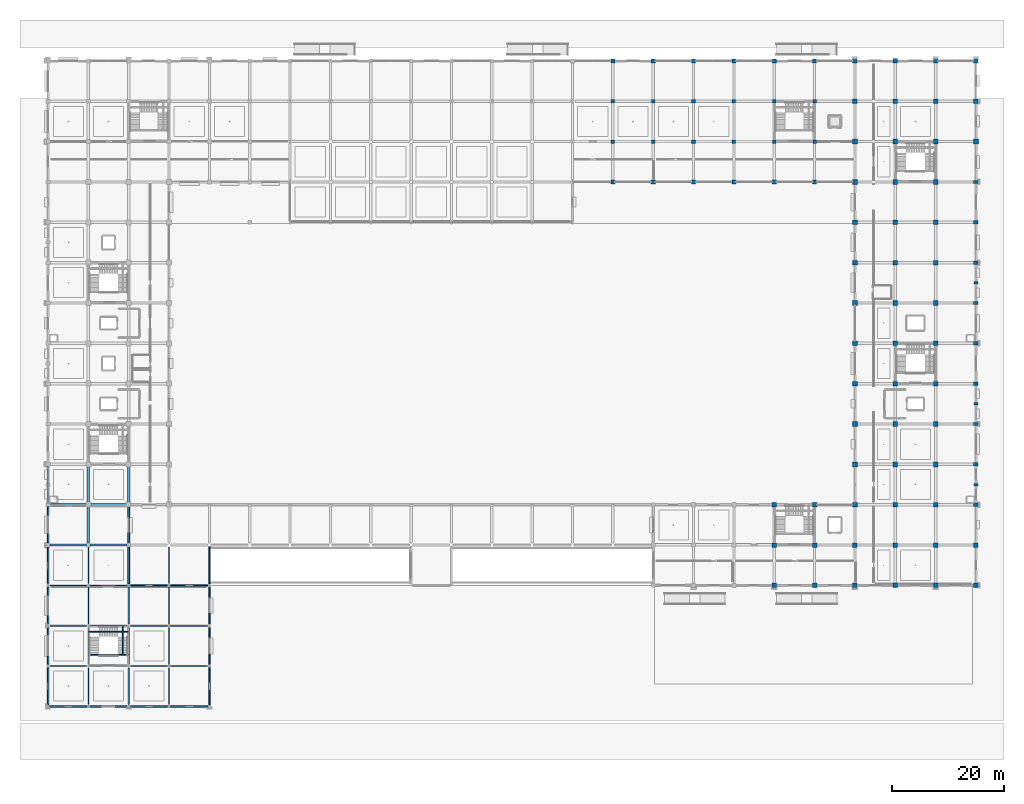
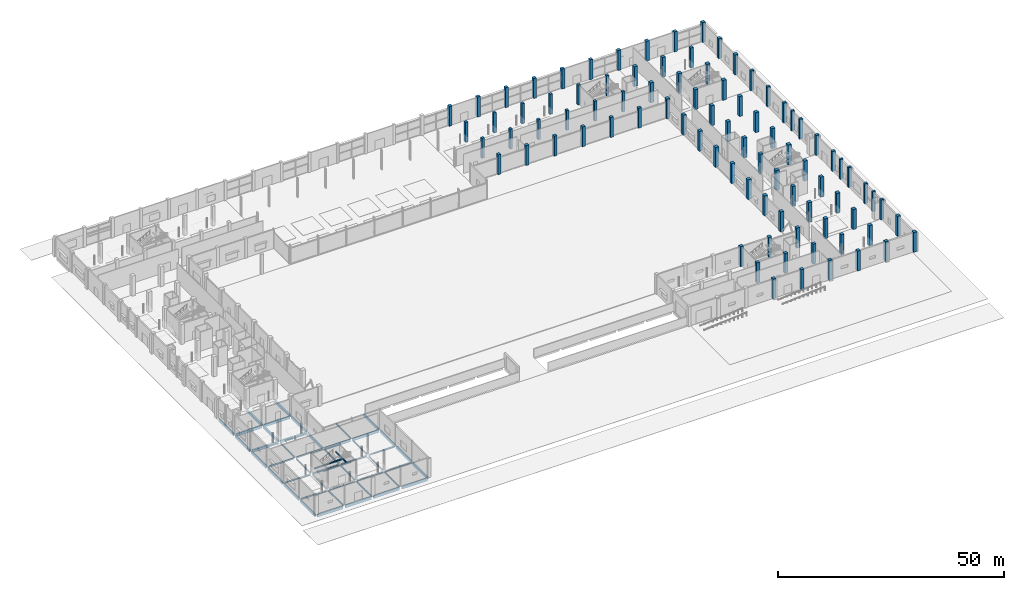
# One storey, part 9 of 90: 89 columns, 49 beams.
"""IFC4 building model written with IfcOpenShell, lengths in metres."""

from ifc_helpers import new_model, si_unit, direction, frame, origin, origin_2d, place, context, subcontext, project, spatial, rectangle, i_section, extrude, material, material_profile, profile_set, type_object, element, save


model = new_model("IFC4")

# Units and contexts
model_context = context("Model", 3, precision=1e-05, world=origin(), true_north=direction((0.0, 1.0)))
body_context = subcontext(model_context, "Body", "Model", "MODEL_VIEW")
ifc_project = project(units=[si_unit("LENGTHUNIT", "METRE"), si_unit("AREAUNIT", "SQUARE_METRE"), si_unit("VOLUMEUNIT", "CUBIC_METRE"), si_unit("PLANEANGLEUNIT", "RADIAN"), si_unit("MASSUNIT", "GRAM", prefix="KILO")], contexts=[model_context])

# Site, building, storey
site_placement = place(None, origin())
site = spatial("IfcSite", under=ifc_project, at=site_placement, CompositionType="ELEMENT")
building_placement = place(site_placement, origin())
building = spatial("IfcBuilding", under=site, at=building_placement, Name="Kangsadwip Square Police Headquarters", CompositionType="ELEMENT")
storey_placement = place(building_placement, origin())
storey = spatial("IfcBuildingStorey", under=building, at=storey_placement, Name="L00", CompositionType="ELEMENT", Elevation=0.0)

# Columns
ifc_material_1 = material(Name="Concrete M40 (40 MPa)", Category="concrete")
ifc_material_profile_1 = material_profile(ifc_material_1, rectangle(XDim=0.64990234375, YDim=0.64990234375, at=origin_2d()), Name="RC COL 650X650")
ifc_profile_set_1 = profile_set([ifc_material_profile_1], Name="Concrete M40 (40 MPa)")
column_type_1 = type_object("IfcColumnType", Name="RcCol650x650", PredefinedType="COLUMN", material=ifc_profile_set_1)
for number, where, z_axis, x_axis, name in (
    (1, (100.800048828125, 100.800048828125, 0.0), (0.0, 0.0, 1.0), (1.0, 0.0, 0.0), "Column COL-L00-14-14"),
    (2, (100.800048828125, 108.0, 0.0), (0.0, 0.0, 1.0), (1.0, 0.0, 0.0), "Column COL-L00-14-15"),
    (3, (108.0, 100.800048828125, 0.0), (0.0, 0.0, 1.0), (1.0, 0.0, 0.0), "Column COL-L00-15-14"),
    (4, (108.0, 108.0, 0.0), (0.0, 0.0, 1.0), (1.0, 0.0, 0.0), "Column COL-L00-15-15"),
    (5, (115.199951171875, 100.800048828125, 0.0), (0.0, 0.0, 1.0), (1.0, 0.0, 0.0), "Column COL-L00-16-14"),
    (6, (115.199951171875, 108.0, 0.0), (0.0, 0.0, 1.0), (1.0, 0.0, 0.0), "Column COL-L00-16-15"),
    (7, (122.39990234375, 100.800048828125, 0.0), (0.0, 0.0, 1.0), (1.0, 0.0, 0.0), "Column COL-L00-17-14"),
    (8, (122.39990234375, 108.0, 0.0), (0.0, 0.0, 1.0), (1.0, 0.0, 0.0), "Column COL-L00-17-15"),
    (9, (129.60009765625, 100.800048828125, 0.0), (0.0, 0.0, 1.0), (1.0, 0.0, 0.0), "Column COL-L00-18-14"),
    (10, (129.60009765625, 108.0, 0.0), (0.0, 0.0, 1.0), (1.0, 0.0, 0.0), "Column COL-L00-18-15"),
    (11, (136.800048828125, 100.800048828125, 0.0), (0.0, 0.0, 1.0), (1.0, 0.0, 0.0), "Column COL-L00-19-14"),
    (12, (136.800048828125, 108.0, 0.0), (0.0, 0.0, 1.0), (1.0, 0.0, 0.0), "Column COL-L00-19-15"),
):
    element("IfcColumn", number, at=place(storey_placement, frame(where, z_axis=z_axis, x_axis=x_axis)), inside=storey, type_object=column_type_1, Name=name, PredefinedType="COLUMN", context=body_context, shape_type="SweptSolid", body=[
        extrude(rectangle(XDim=0.64990234375, YDim=0.64990234375, at=origin_2d()), origin(), (0.0, 0.0, 1.0), 5.39990234375),
    ])
ifc_material_2 = material(Name="Concrete M40 (40 MPa)", Category="concrete")
ifc_material_profile_2 = material_profile(ifc_material_2, rectangle(XDim=0.75, YDim=0.75, at=origin_2d()), Name="RC COL 750X750")
ifc_profile_set_2 = profile_set([ifc_material_profile_2], Name="Concrete M40 (40 MPa)")
column_type_2 = type_object("IfcColumnType", Name="RcCol750x750", PredefinedType="COLUMN", material=ifc_profile_set_2)
for number, where, z_axis, x_axis, name in (
    (13, (100.800048828125, 93.60009765625, 0.0), (0.0, 0.0, 1.0), (1.0, 0.0, 0.0), "Column COL-L00-14-13"),
    (14, (100.800048828125, 115.199951171875, 0.0), (0.0, 0.0, 1.0), (1.0, 0.0, 0.0), "Column COL-L00-14-16"),
    (15, (108.0, 93.60009765625, 0.0), (0.0, 0.0, 1.0), (1.0, 0.0, 0.0), "Column COL-L00-15-13"),
    (16, (108.0, 115.199951171875, 0.0), (0.0, 0.0, 1.0), (1.0, 0.0, 0.0), "Column COL-L00-15-16"),
    (17, (115.199951171875, 93.60009765625, 0.0), (0.0, 0.0, 1.0), (1.0, 0.0, 0.0), "Column COL-L00-16-13"),
    (18, (115.199951171875, 115.199951171875, 0.0), (0.0, 0.0, 1.0), (1.0, 0.0, 0.0), "Column COL-L00-16-16"),
    (19, (122.39990234375, 93.60009765625, 0.0), (0.0, 0.0, 1.0), (1.0, 0.0, 0.0), "Column COL-L00-17-13"),
    (20, (122.39990234375, 115.199951171875, 0.0), (0.0, 0.0, 1.0), (1.0, 0.0, 0.0), "Column COL-L00-17-16"),
    (21, (129.60009765625, 93.60009765625, 0.0), (0.0, 0.0, 1.0), (1.0, 0.0, 0.0), "Column COL-L00-18-13"),
    (22, (129.60009765625, 115.199951171875, 0.0), (0.0, 0.0, 1.0), (1.0, 0.0, 0.0), "Column COL-L00-18-16"),
    (23, (136.800048828125, 93.60009765625, 0.0), (0.0, 0.0, 1.0), (1.0, 0.0, 0.0), "Column COL-L00-19-13"),
    (24, (136.800048828125, 115.199951171875, 0.0), (0.0, 0.0, 1.0), (1.0, 0.0, 0.0), "Column COL-L00-19-16"),
):
    element("IfcColumn", number, at=place(storey_placement, frame(where, z_axis=z_axis, x_axis=x_axis)), inside=storey, type_object=column_type_2, Name=name, PredefinedType="COLUMN", context=body_context, shape_type="SweptSolid", body=[
        extrude(rectangle(XDim=0.75, YDim=0.75, at=origin_2d()), origin(), (0.0, 0.0, 1.0), 5.39990234375),
    ])
ifc_material_3 = material(Name="Concrete M40 (40 MPa)", Category="concrete")
ifc_material_profile_3 = material_profile(ifc_material_3, rectangle(XDim=0.60009765625, YDim=0.800048828125, at=origin_2d()), Name="RC COL 800X600")
ifc_profile_set_3 = profile_set([ifc_material_profile_3], Name="Concrete M40 (40 MPa)")
column_type_3 = type_object("IfcColumnType", Name="RcCol800x600", PredefinedType="COLUMN", material=ifc_profile_set_3)
for number, where, z_axis, x_axis, name in (
    (25, (165.60009765625, 36.0, 0.0), (0.0, 0.0, 1.0), (0.0, 1.0, 0.0), "Column COL-L00-23-05"),
    (26, (165.60009765625, 43.199951171875, 0.0), (0.0, 0.0, 1.0), (0.0, 1.0, 0.0), "Column COL-L00-23-06"),
    (27, (165.60009765625, 50.39990234375, 0.0), (0.0, 0.0, 1.0), (0.0, 1.0, 0.0), "Column COL-L00-23-07"),
    (28, (165.60009765625, 57.60009765625, 0.0), (0.0, 0.0, 1.0), (0.0, 1.0, 0.0), "Column COL-L00-23-08"),
    (29, (165.60009765625, 64.800048828125, 0.0), (0.0, 0.0, 1.0), (0.0, 1.0, 0.0), "Column COL-L00-23-09"),
    (30, (165.60009765625, 72.0, 0.0), (0.0, 0.0, 1.0), (0.0, 1.0, 0.0), "Column COL-L00-23-10"),
    (31, (165.60009765625, 79.199951171875, 0.0), (0.0, 0.0, 1.0), (0.0, 1.0, 0.0), "Column COL-L00-23-11"),
    (32, (165.60009765625, 86.39990234375, 0.0), (0.0, 0.0, 1.0), (0.0, 1.0, 0.0), "Column COL-L00-23-12"),
    (33, (165.60009765625, 93.60009765625, 0.0), (0.0, 0.0, 1.0), (0.0, 1.0, 0.0), "Column COL-L00-23-13"),
):
    element("IfcColumn", number, at=place(storey_placement, frame(where, z_axis=z_axis, x_axis=x_axis)), inside=storey, type_object=column_type_3, Name=name, PredefinedType="COLUMN", context=body_context, shape_type="SweptSolid", body=[
        extrude(rectangle(XDim=0.60009765625, YDim=0.800048828125, at=origin_2d()), origin(), (0.0, 0.0, 1.0), 5.39990234375),
    ])
ifc_material_4 = material(Name="Concrete M40 (40 MPa)", Category="concrete")
ifc_material_profile_4 = material_profile(ifc_material_4, rectangle(XDim=0.800048828125, YDim=0.800048828125, at=origin_2d()), Name="RC COL 800X800")
ifc_profile_set_4 = profile_set([ifc_material_profile_4], Name="Concrete M40 (40 MPa)")
column_type_4 = type_object("IfcColumnType", Name="RcCol800x800", PredefinedType="COLUMN", material=ifc_profile_set_4)
for number, where, z_axis, x_axis, name in (
    (34, (129.60009765625, 21.60009765625, 0.0), (0.0, 0.0, 1.0), (1.0, 0.0, 0.0), "Column COL-L00-18-03"),
    (35, (129.60009765625, 28.800048828125, 0.0), (0.0, 0.0, 1.0), (1.0, 0.0, 0.0), "Column COL-L00-18-04"),
    (36, (129.60009765625, 36.0, 0.0), (0.0, 0.0, 1.0), (1.0, 0.0, 0.0), "Column COL-L00-18-05"),
    (37, (136.800048828125, 21.60009765625, 0.0), (0.0, 0.0, 1.0), (1.0, 0.0, 0.0), "Column COL-L00-19-03"),
    (38, (136.800048828125, 28.800048828125, 0.0), (0.0, 0.0, 1.0), (1.0, 0.0, 0.0), "Column COL-L00-19-04"),
    (39, (136.800048828125, 36.0, 0.0), (0.0, 0.0, 1.0), (1.0, 0.0, 0.0), "Column COL-L00-19-05"),
    (40, (144.0, 21.60009765625, 0.0), (0.0, 0.0, 1.0), (1.0, 0.0, 0.0), "Column COL-L00-20-03"),
    (41, (144.0, 28.800048828125, 0.0), (0.0, 0.0, 1.0), (1.0, 0.0, 0.0), "Column COL-L00-20-04"),
    (42, (144.0, 108.0, 0.0), (0.0, 0.0, 1.0), (1.0, 0.0, 0.0), "Column COL-L00-20-15"),
    (43, (144.0, 115.199951171875, 0.0), (0.0, 0.0, 1.0), (1.0, 0.0, 0.0), "Column COL-L00-20-16"),
    (44, (151.199951171875, 21.60009765625, 0.0), (0.0, 0.0, 1.0), (1.0, 0.0, 0.0), "Column COL-L00-21-03"),
    (45, (151.199951171875, 28.800048828125, 0.0), (0.0, 0.0, 1.0), (1.0, 0.0, 0.0), "Column COL-L00-21-04"),
    (46, (151.199951171875, 108.0, 0.0), (0.0, 0.0, 1.0), (1.0, 0.0, 0.0), "Column COL-L00-21-15"),
    (47, (151.199951171875, 115.199951171875, 0.0), (0.0, 0.0, 1.0), (1.0, 0.0, 0.0), "Column COL-L00-21-16"),
    (48, (158.39990234375, 21.60009765625, 0.0), (0.0, 0.0, 1.0), (1.0, 0.0, 0.0), "Column COL-L00-22-03"),
    (49, (158.39990234375, 28.800048828125, 0.0), (0.0, 0.0, 1.0), (1.0, 0.0, 0.0), "Column COL-L00-22-04"),
    (50, (158.39990234375, 108.0, 0.0), (0.0, 0.0, 1.0), (1.0, 0.0, 0.0), "Column COL-L00-22-15"),
    (51, (158.39990234375, 115.199951171875, 0.0), (0.0, 0.0, 1.0), (1.0, 0.0, 0.0), "Column COL-L00-22-16"),
    (52, (165.60009765625, 21.60009765625, 0.0), (0.0, 0.0, 1.0), (1.0, 0.0, 0.0), "Column COL-L00-23-03"),
    (53, (165.60009765625, 28.800048828125, 0.0), (0.0, 0.0, 1.0), (1.0, 0.0, 0.0), "Column COL-L00-23-04"),
    (54, (165.60009765625, 108.0, 0.0), (0.0, 0.0, 1.0), (1.0, 0.0, 0.0), "Column COL-L00-23-15"),
    (55, (165.60009765625, 115.199951171875, 0.0), (0.0, 0.0, 1.0), (1.0, 0.0, 0.0), "Column COL-L00-23-16"),
):
    element("IfcColumn", number, at=place(storey_placement, frame(where, z_axis=z_axis, x_axis=x_axis)), inside=storey, type_object=column_type_4, Name=name, PredefinedType="COLUMN", context=body_context, shape_type="SweptSolid", body=[
        extrude(rectangle(XDim=0.800048828125, YDim=0.800048828125, at=origin_2d()), origin(), (0.0, 0.0, 1.0), 5.39990234375),
    ])
ifc_material_5 = material(Name="Concrete M40 (40 MPa)", Category="concrete")
ifc_material_profile_5 = material_profile(ifc_material_5, rectangle(XDim=0.85009765625, YDim=0.85009765625, at=origin_2d()), Name="RC COL 850X850")
ifc_profile_set_5 = profile_set([ifc_material_profile_5], Name="Concrete M40 (40 MPa)")
column_type_5 = type_object("IfcColumnType", Name="RcCol850x850", PredefinedType="COLUMN", material=ifc_profile_set_5)
for number, where, z_axis, x_axis, name in (
    (56, (144.0, 36.0, 0.0), (0.0, 0.0, 1.0), (1.0, 0.0, 0.0), "Column COL-L00-20-05"),
    (57, (144.0, 43.199951171875, 0.0), (0.0, 0.0, 1.0), (1.0, 0.0, 0.0), "Column COL-L00-20-06"),
    (58, (144.0, 50.39990234375, 0.0), (0.0, 0.0, 1.0), (1.0, 0.0, 0.0), "Column COL-L00-20-07"),
    (59, (144.0, 57.60009765625, 0.0), (0.0, 0.0, 1.0), (1.0, 0.0, 0.0), "Column COL-L00-20-08"),
    (60, (144.0, 64.800048828125, 0.0), (0.0, 0.0, 1.0), (1.0, 0.0, 0.0), "Column COL-L00-20-09"),
    (61, (144.0, 72.0, 0.0), (0.0, 0.0, 1.0), (1.0, 0.0, 0.0), "Column COL-L00-20-10"),
    (62, (144.0, 79.199951171875, 0.0), (0.0, 0.0, 1.0), (1.0, 0.0, 0.0), "Column COL-L00-20-11"),
    (63, (144.0, 86.39990234375, 0.0), (0.0, 0.0, 1.0), (1.0, 0.0, 0.0), "Column COL-L00-20-12"),
    (64, (144.0, 93.60009765625, 0.0), (0.0, 0.0, 1.0), (1.0, 0.0, 0.0), "Column COL-L00-20-13"),
    (65, (144.0, 100.800048828125, 0.0), (0.0, 0.0, 1.0), (1.0, 0.0, 0.0), "Column COL-L00-20-14"),
    (66, (151.199951171875, 36.0, 0.0), (0.0, 0.0, 1.0), (1.0, 0.0, 0.0), "Column COL-L00-21-05"),
    (67, (151.199951171875, 43.199951171875, 0.0), (0.0, 0.0, 1.0), (1.0, 0.0, 0.0), "Column COL-L00-21-06"),
    (68, (151.199951171875, 50.39990234375, 0.0), (0.0, 0.0, 1.0), (1.0, 0.0, 0.0), "Column COL-L00-21-07"),
    (69, (151.199951171875, 57.60009765625, 0.0), (0.0, 0.0, 1.0), (1.0, 0.0, 0.0), "Column COL-L00-21-08"),
    (70, (151.199951171875, 64.800048828125, 0.0), (0.0, 0.0, 1.0), (1.0, 0.0, 0.0), "Column COL-L00-21-09"),
    (71, (151.199951171875, 72.0, 0.0), (0.0, 0.0, 1.0), (1.0, 0.0, 0.0), "Column COL-L00-21-10"),
    (72, (151.199951171875, 79.199951171875, 0.0), (0.0, 0.0, 1.0), (1.0, 0.0, 0.0), "Column COL-L00-21-11"),
    (73, (151.199951171875, 86.39990234375, 0.0), (0.0, 0.0, 1.0), (1.0, 0.0, 0.0), "Column COL-L00-21-12"),
    (74, (151.199951171875, 93.60009765625, 0.0), (0.0, 0.0, 1.0), (1.0, 0.0, 0.0), "Column COL-L00-21-13"),
    (75, (151.199951171875, 100.800048828125, 0.0), (0.0, 0.0, 1.0), (1.0, 0.0, 0.0), "Column COL-L00-21-14"),
    (76, (158.39990234375, 36.0, 0.0), (0.0, 0.0, 1.0), (1.0, 0.0, 0.0), "Column COL-L00-22-05"),
    (77, (158.39990234375, 43.199951171875, 0.0), (0.0, 0.0, 1.0), (1.0, 0.0, 0.0), "Column COL-L00-22-06"),
    (78, (158.39990234375, 50.39990234375, 0.0), (0.0, 0.0, 1.0), (1.0, 0.0, 0.0), "Column COL-L00-22-07"),
    (79, (158.39990234375, 57.60009765625, 0.0), (0.0, 0.0, 1.0), (1.0, 0.0, 0.0), "Column COL-L00-22-08"),
    (80, (158.39990234375, 64.800048828125, 0.0), (0.0, 0.0, 1.0), (1.0, 0.0, 0.0), "Column COL-L00-22-09"),
    (81, (158.39990234375, 72.0, 0.0), (0.0, 0.0, 1.0), (1.0, 0.0, 0.0), "Column COL-L00-22-10"),
    (82, (158.39990234375, 79.199951171875, 0.0), (0.0, 0.0, 1.0), (1.0, 0.0, 0.0), "Column COL-L00-22-11"),
    (83, (158.39990234375, 86.39990234375, 0.0), (0.0, 0.0, 1.0), (1.0, 0.0, 0.0), "Column COL-L00-22-12"),
    (84, (158.39990234375, 93.60009765625, 0.0), (0.0, 0.0, 1.0), (1.0, 0.0, 0.0), "Column COL-L00-22-13"),
    (85, (158.39990234375, 100.800048828125, 0.0), (0.0, 0.0, 1.0), (1.0, 0.0, 0.0), "Column COL-L00-22-14"),
    (86, (165.60009765625, 100.800048828125, 0.0), (0.0, 0.0, 1.0), (1.0, 0.0, 0.0), "Column COL-L00-23-14"),
):
    element("IfcColumn", number, at=place(storey_placement, frame(where, z_axis=z_axis, x_axis=x_axis)), inside=storey, type_object=column_type_5, Name=name, PredefinedType="COLUMN", context=body_context, shape_type="SweptSolid", body=[
        extrude(rectangle(XDim=0.85009765625, YDim=0.85009765625, at=origin_2d()), origin(), (0.0, 0.0, 1.0), 5.39990234375),
    ])
ifc_material_6 = material(Name="Concrete M40 (40 MPa)", Category="concrete")
ifc_material_profile_6 = material_profile(ifc_material_6, rectangle(XDim=0.449951171875, YDim=0.75, at=origin_2d()), Name="RC PIL 750X450")
ifc_profile_set_6 = profile_set([ifc_material_profile_6], Name="Concrete M40 (40 MPa)")
column_type_6 = type_object("IfcColumnType", Name="RcPil750x450", PredefinedType="PILASTER", material=ifc_profile_set_6)
for number, where, z_axis, x_axis, name in (
    (87, (165.60009765625, 39.60009765625, 0.0), (0.0, 0.0, 1.0), (0.0, 1.0, 0.0), "Colonnade Pilaster PIL-L00-029"),
    (88, (165.60009765625, 54.0, 0.0), (0.0, 0.0, 1.0), (0.0, 1.0, 0.0), "Colonnade Pilaster PIL-L00-037"),
    (89, (165.60009765625, 75.60009765625, 0.0), (0.0, 0.0, 1.0), (0.0, 1.0, 0.0), "Colonnade Pilaster PIL-L00-045"),
):
    element("IfcColumn", number, at=place(storey_placement, frame(where, z_axis=z_axis, x_axis=x_axis)), inside=storey, type_object=column_type_6, Name=name, PredefinedType="PILASTER", context=body_context, shape_type="SweptSolid", body=[
        extrude(rectangle(XDim=0.449951171875, YDim=0.75, at=origin_2d()), origin(), (0.0, 0.0, 1.0), 5.39990234375),
    ])

# Beams
ifc_material_7 = material(Name="Concrete M35 (35 MPa)", Category="concrete")
ifc_material_profile_7 = material_profile(ifc_material_7, rectangle(XDim=0.39990234375, YDim=0.64990234375, at=origin_2d()), Name="RC BM 650X400")
ifc_profile_set_7 = profile_set([ifc_material_profile_7], Name="Concrete M35 (35 MPa)")
beam_type_1 = type_object("IfcBeamType", Name="RcBeam650x400", PredefinedType="BEAM", material=ifc_profile_set_7)
for number, where, z_axis, x_axis, name in (
    (90, (0.324951171875, 28.800048828125, -0.574951171875), (1.0, 0.0, 0.0), (0.0, 1.0, 0.0), "Beam BM-L00-X-00-04"),
    (91, (7.52490234375, 28.800048828125, -0.574951171875), (1.0, 0.0, 0.0), (0.0, 1.0, 0.0), "Beam BM-L00-X-01-04"),
):
    element("IfcBeam", number, at=place(storey_placement, frame(where, z_axis=z_axis, x_axis=x_axis)), inside=storey, type_object=beam_type_1, Name=name, PredefinedType="BEAM", context=body_context, shape_type="SweptSolid", body=[
        extrude(rectangle(XDim=0.39990234375, YDim=0.64990234375, at=origin_2d()), origin(), (0.0, 0.0, 1.0), 6.550048828125),
    ])
beam_1_placement = place(storey_placement, frame((0.39990234375, 36.0, -0.574951171875), z_axis=(1.0, 0.0, 0.0), x_axis=(0.0, 1.0, 0.0)))
element("IfcBeam", 92, at=beam_1_placement, inside=storey, type_object=beam_type_1, Name="Beam BM-L00-X-00-05", PredefinedType="BEAM", context=body_context, shape_type="SweptSolid", body=[
    extrude(rectangle(XDim=0.39990234375, YDim=0.64990234375, at=origin_2d()), origin(), (0.0, 0.0, 1.0), 6.47509765625),
])
for number, where, z_axis, x_axis, name in (
    (93, (7.52490234375, 36.0, -0.574951171875), (1.0, 0.0, 0.0), (0.0, 1.0, 0.0), "Beam BM-L00-X-01-05"),
    (94, (7.199951171875, 29.125, -0.574951171875), (0.0, 1.0, 0.0), (-1.0, 0.0, 0.0), "Beam BM-L00-Y-01-04"),
    (95, (7.199951171875, 36.324951171875, -0.574951171875), (0.0, 1.0, 0.0), (-1.0, 0.0, 0.0), "Beam BM-L00-Y-01-05"),
    (96, (14.39990234375, 36.324951171875, -0.574951171875), (0.0, 1.0, 0.0), (-1.0, 0.0, 0.0), "Beam BM-L00-Y-02-05"),
):
    element("IfcBeam", number, at=place(storey_placement, frame(where, z_axis=z_axis, x_axis=x_axis)), inside=storey, type_object=beam_type_1, Name=name, PredefinedType="BEAM", context=body_context, shape_type="SweptSolid", body=[
        extrude(rectangle(XDim=0.39990234375, YDim=0.64990234375, at=origin_2d()), origin(), (0.0, 0.0, 1.0), 6.550048828125),
    ])
ifc_material_8 = material(Name="Concrete M30 (30 MPa)", Category="concrete")
ifc_material_profile_8 = material_profile(ifc_material_8, rectangle(XDim=0.199951171875, YDim=0.25, at=origin_2d()), Name="RC LNT 250X200")
ifc_profile_set_8 = profile_set([ifc_material_profile_8], Name="Concrete M30 (30 MPa)")
beam_type_2 = type_object("IfcBeamType", Name="RcLintel250x200", PredefinedType="LINTEL", material=ifc_profile_set_8)
for number, where, z_axis, x_axis, name in (
    (97, (7.300048828125, 13.344970703125, 1.655029296875), (1.0, 0.0, 0.0), (0.0, 1.0, 0.0), "Stair Carriage and Landing Beam BM-ST-L00-098"),
    (98, (7.300048828125, 9.219970703125, 3.455078125), (1.0, 0.0, 0.0), (0.0, 1.0, 0.0), "Stair Carriage and Landing Beam BM-ST-L00-099"),
):
    element("IfcBeam", number, at=place(storey_placement, frame(where, z_axis=z_axis, x_axis=x_axis)), inside=storey, type_object=beam_type_2, Name=name, PredefinedType="BEAM", context=body_context, shape_type="SweptSolid", body=[
        extrude(rectangle(XDim=0.199951171875, YDim=0.25, at=origin_2d()), origin(), (0.0, 0.0, 1.0), 7.0),
    ])
beam_2_placement = place(storey_placement, frame((13.344970703125, 9.219970703125, 3.455078125), z_axis=(0.0, 1.0, 0.0), x_axis=(-1.0, 0.0, 0.0)))
element("IfcBeam", 99, at=beam_2_placement, inside=storey, type_object=beam_type_2, Name="Stair Carriage and Landing Beam BM-ST-L00-100", PredefinedType="BEAM", context=body_context, shape_type="SweptSolid", body=[
    extrude(rectangle(XDim=0.199951171875, YDim=0.25, at=origin_2d()), origin(), (0.0, 0.0, 1.0), 5.080078125),
])
ifc_material_9 = material(Name="Concrete M40 (40 MPa)", Category="concrete")
ifc_material_profile_9 = material_profile(ifc_material_9, rectangle(XDim=0.300048828125, YDim=0.699951171875, at=origin_2d()), Name="RC SPN 700X300")
ifc_profile_set_9 = profile_set([ifc_material_profile_9], Name="Concrete M40 (40 MPa)")
beam_type_3 = type_object("IfcBeamType", Name="RcSpandrel700x300", PredefinedType="SPANDREL", material=ifc_profile_set_9)
beam_3_placement = place(storey_placement, frame((14.72509765625, 21.60009765625, -0.60009765625), z_axis=(1.0, 0.0, 0.0), x_axis=(0.0, 1.0, 0.0)))
element("IfcBeam", 100, at=beam_3_placement, inside=storey, type_object=beam_type_3, Name="Beam BM-L00-X-02-03", PredefinedType="SPANDREL", context=body_context, shape_type="SweptSolid", body=[
    extrude(rectangle(XDim=0.300048828125, YDim=0.699951171875, at=origin_2d()), origin(), (0.0, 0.0, 1.0), 6.5498046875),
])
for number, where, z_axis, x_axis, name in (
    (101, (21.925048828125, 21.60009765625, -0.60009765625), (1.0, 0.0, 0.0), (0.0, 1.0, 0.0), "Beam BM-L00-X-03-03"),
    (102, (14.39990234375, 21.925048828125, -0.60009765625), (0.0, 1.0, 0.0), (-1.0, 0.0, 0.0), "Beam BM-L00-Y-02-03"),
    (103, (14.39990234375, 29.125, -0.60009765625), (0.0, 1.0, 0.0), (-1.0, 0.0, 0.0), "Beam BM-L00-Y-02-04"),
    (104, (28.800048828125, 21.925048828125, -0.60009765625), (0.0, 1.0, 0.0), (-1.0, 0.0, 0.0), "Beam BM-L00-Y-04-03"),
    (105, (0.324951171875, 0.0, -0.60009765625), (1.0, 0.0, 0.0), (0.0, 1.0, 0.0), "Beam BM-L00-X-00-00"),
    (106, (7.52490234375, 0.0, -0.60009765625), (1.0, 0.0, 0.0), (0.0, 1.0, 0.0), "Beam BM-L00-X-01-00"),
):
    element("IfcBeam", number, at=place(storey_placement, frame(where, z_axis=z_axis, x_axis=x_axis)), inside=storey, type_object=beam_type_3, Name=name, PredefinedType="SPANDREL", context=body_context, shape_type="SweptSolid", body=[
        extrude(rectangle(XDim=0.300048828125, YDim=0.699951171875, at=origin_2d()), origin(), (0.0, 0.0, 1.0), 6.550048828125),
    ])
beam_4_placement = place(storey_placement, frame((14.72509765625, 0.0, -0.60009765625), z_axis=(1.0, 0.0, 0.0), x_axis=(0.0, 1.0, 0.0)))
element("IfcBeam", 107, at=beam_4_placement, inside=storey, type_object=beam_type_3, Name="Beam BM-L00-X-02-00", PredefinedType="SPANDREL", context=body_context, shape_type="SweptSolid", body=[
    extrude(rectangle(XDim=0.300048828125, YDim=0.699951171875, at=origin_2d()), origin(), (0.0, 0.0, 1.0), 6.5498046875),
])
for number, where, z_axis, x_axis, name in (
    (108, (21.925048828125, 0.0, -0.60009765625), (1.0, 0.0, 0.0), (0.0, 1.0, 0.0), "Beam BM-L00-X-03-00"),
    (109, (0.0, 0.324951171875, -0.60009765625), (0.0, 1.0, 0.0), (-1.0, 0.0, 0.0), "Beam BM-L00-Y-00-00"),
    (110, (0.0, 7.52490234375, -0.60009765625), (0.0, 1.0, 0.0), (-1.0, 0.0, 0.0), "Beam BM-L00-Y-00-01"),
):
    element("IfcBeam", number, at=place(storey_placement, frame(where, z_axis=z_axis, x_axis=x_axis)), inside=storey, type_object=beam_type_3, Name=name, PredefinedType="SPANDREL", context=body_context, shape_type="SweptSolid", body=[
        extrude(rectangle(XDim=0.300048828125, YDim=0.699951171875, at=origin_2d()), origin(), (0.0, 0.0, 1.0), 6.550048828125),
    ])
beam_5_placement = place(storey_placement, frame((0.0, 14.72509765625, -0.60009765625), z_axis=(0.0, 1.0, 0.0), x_axis=(-1.0, 0.0, 0.0)))
element("IfcBeam", 111, at=beam_5_placement, inside=storey, type_object=beam_type_3, Name="Beam BM-L00-Y-00-02", PredefinedType="SPANDREL", context=body_context, shape_type="SweptSolid", body=[
    extrude(rectangle(XDim=0.300048828125, YDim=0.699951171875, at=origin_2d()), origin(), (0.0, 0.0, 1.0), 6.52490234375),
])
beam_6_placement = place(storey_placement, frame((0.0, 21.949951171875, -0.60009765625), z_axis=(0.0, 1.0, 0.0), x_axis=(-1.0, 0.0, 0.0)))
element("IfcBeam", 112, at=beam_6_placement, inside=storey, type_object=beam_type_3, Name="Beam BM-L00-Y-00-03", PredefinedType="SPANDREL", context=body_context, shape_type="SweptSolid", body=[
    extrude(rectangle(XDim=0.300048828125, YDim=0.699951171875, at=origin_2d()), origin(), (0.0, 0.0, 1.0), 6.525146484375),
])
beam_7_placement = place(storey_placement, frame((0.0, 29.125, -0.60009765625), z_axis=(0.0, 1.0, 0.0), x_axis=(-1.0, 0.0, 0.0)))
element("IfcBeam", 113, at=beam_7_placement, inside=storey, type_object=beam_type_3, Name="Beam BM-L00-Y-00-04", PredefinedType="SPANDREL", context=body_context, shape_type="SweptSolid", body=[
    extrude(rectangle(XDim=0.300048828125, YDim=0.699951171875, at=origin_2d()), origin(), (0.0, 0.0, 1.0), 6.574951171875),
])
beam_8_placement = place(storey_placement, frame((0.0, 36.300048828125, -0.60009765625), z_axis=(0.0, 1.0, 0.0), x_axis=(-1.0, 0.0, 0.0)))
element("IfcBeam", 114, at=beam_8_placement, inside=storey, type_object=beam_type_3, Name="Beam BM-L00-Y-00-05", PredefinedType="SPANDREL", context=body_context, shape_type="SweptSolid", body=[
    extrude(rectangle(XDim=0.300048828125, YDim=0.699951171875, at=origin_2d()), origin(), (0.0, 0.0, 1.0), 6.599853515625),
])
for number, where, z_axis, x_axis, name in (
    (115, (28.800048828125, 0.324951171875, -0.60009765625), (0.0, 1.0, 0.0), (-1.0, 0.0, 0.0), "Beam BM-L00-Y-04-00"),
    (116, (28.800048828125, 7.52490234375, -0.60009765625), (0.0, 1.0, 0.0), (-1.0, 0.0, 0.0), "Beam BM-L00-Y-04-01"),
):
    element("IfcBeam", number, at=place(storey_placement, frame(where, z_axis=z_axis, x_axis=x_axis)), inside=storey, type_object=beam_type_3, Name=name, PredefinedType="SPANDREL", context=body_context, shape_type="SweptSolid", body=[
        extrude(rectangle(XDim=0.300048828125, YDim=0.699951171875, at=origin_2d()), origin(), (0.0, 0.0, 1.0), 6.550048828125),
    ])
beam_9_placement = place(storey_placement, frame((28.800048828125, 14.72509765625, -0.60009765625), z_axis=(0.0, 1.0, 0.0), x_axis=(-1.0, 0.0, 0.0)))
element("IfcBeam", 117, at=beam_9_placement, inside=storey, type_object=beam_type_3, Name="Beam BM-L00-Y-04-02", PredefinedType="SPANDREL", context=body_context, shape_type="SweptSolid", body=[
    extrude(rectangle(XDim=0.300048828125, YDim=0.699951171875, at=origin_2d()), origin(), (0.0, 0.0, 1.0), 6.5498046875),
])
ifc_material_10 = material(Name="Structural steel IS 2062 E350 (Grade 350, 350 MPa)", Category="steel")
ifc_material_profile_10 = material_profile(ifc_material_10, i_section(OverallWidth=0.199951171875, OverallDepth=0.39990234375, WebThickness=0.008544921875, FlangeThickness=0.012939453125, at=origin_2d()), Name="ISWB 400")
ifc_profile_set_10 = profile_set([ifc_material_profile_10], Name="Structural steel IS 2062 E350 (Grade 350, 350 MPa)")
beam_type_4 = type_object("IfcBeamType", Name="SteelBeamIswb400", PredefinedType="BEAM", material=ifc_profile_set_10)
for number, where, z_axis, x_axis, name in (
    (118, (21.60009765625, 21.925048828125, -0.449951171875), (0.0, 1.0, 0.0), (-1.0, 0.0, 0.0), "Beam BM-L00-Y-03-03"),
    (119, (0.324951171875, 7.199951171875, -0.449951171875), (1.0, 0.0, 0.0), (0.0, 1.0, 0.0), "Beam BM-L00-X-00-01"),
    (120, (7.52490234375, 7.199951171875, -0.449951171875), (1.0, 0.0, 0.0), (0.0, 1.0, 0.0), "Beam BM-L00-X-01-01"),
):
    element("IfcBeam", number, at=place(storey_placement, frame(where, z_axis=z_axis, x_axis=x_axis)), inside=storey, type_object=beam_type_4, Name=name, PredefinedType="BEAM", context=body_context, shape_type="SweptSolid", body=[
        extrude(i_section(OverallWidth=0.199951171875, OverallDepth=0.39990234375, WebThickness=0.008544921875, FlangeThickness=0.012939453125, at=origin_2d()), origin(), (0.0, 0.0, 1.0), 6.550048828125),
    ])
beam_10_placement = place(storey_placement, frame((14.72509765625, 7.199951171875, -0.449951171875), z_axis=(1.0, 0.0, 0.0), x_axis=(0.0, 1.0, 0.0)))
element("IfcBeam", 121, at=beam_10_placement, inside=storey, type_object=beam_type_4, Name="Beam BM-L00-X-02-01", PredefinedType="BEAM", context=body_context, shape_type="SweptSolid", body=[
    extrude(i_section(OverallWidth=0.199951171875, OverallDepth=0.39990234375, WebThickness=0.008544921875, FlangeThickness=0.012939453125, at=origin_2d()), origin(), (0.0, 0.0, 1.0), 6.574951171875),
])
beam_11_placement = place(storey_placement, frame((21.89990234375, 7.199951171875, -0.449951171875), z_axis=(1.0, 0.0, 0.0), x_axis=(0.0, 1.0, 0.0)))
element("IfcBeam", 122, at=beam_11_placement, inside=storey, type_object=beam_type_4, Name="Beam BM-L00-X-03-01", PredefinedType="BEAM", context=body_context, shape_type="SweptSolid", body=[
    extrude(i_section(OverallWidth=0.199951171875, OverallDepth=0.39990234375, WebThickness=0.008544921875, FlangeThickness=0.012939453125, at=origin_2d()), origin(), (0.0, 0.0, 1.0), 6.5751953125),
])
for number, where, z_axis, x_axis, name in (
    (123, (0.324951171875, 14.39990234375, -0.449951171875), (1.0, 0.0, 0.0), (0.0, 1.0, 0.0), "Beam BM-L00-X-00-02"),
    (124, (7.52490234375, 14.39990234375, -0.449951171875), (1.0, 0.0, 0.0), (0.0, 1.0, 0.0), "Beam BM-L00-X-01-02"),
):
    element("IfcBeam", number, at=place(storey_placement, frame(where, z_axis=z_axis, x_axis=x_axis)), inside=storey, type_object=beam_type_4, Name=name, PredefinedType="BEAM", context=body_context, shape_type="SweptSolid", body=[
        extrude(i_section(OverallWidth=0.199951171875, OverallDepth=0.39990234375, WebThickness=0.008544921875, FlangeThickness=0.012939453125, at=origin_2d()), origin(), (0.0, 0.0, 1.0), 6.550048828125),
    ])
beam_12_placement = place(storey_placement, frame((14.72509765625, 14.39990234375, -0.449951171875), z_axis=(1.0, 0.0, 0.0), x_axis=(0.0, 1.0, 0.0)))
element("IfcBeam", 125, at=beam_12_placement, inside=storey, type_object=beam_type_4, Name="Beam BM-L00-X-02-02", PredefinedType="BEAM", context=body_context, shape_type="SweptSolid", body=[
    extrude(i_section(OverallWidth=0.199951171875, OverallDepth=0.39990234375, WebThickness=0.008544921875, FlangeThickness=0.012939453125, at=origin_2d()), origin(), (0.0, 0.0, 1.0), 6.574951171875),
])
beam_13_placement = place(storey_placement, frame((21.89990234375, 14.39990234375, -0.449951171875), z_axis=(1.0, 0.0, 0.0), x_axis=(0.0, 1.0, 0.0)))
element("IfcBeam", 126, at=beam_13_placement, inside=storey, type_object=beam_type_4, Name="Beam BM-L00-X-03-02", PredefinedType="BEAM", context=body_context, shape_type="SweptSolid", body=[
    extrude(i_section(OverallWidth=0.199951171875, OverallDepth=0.39990234375, WebThickness=0.008544921875, FlangeThickness=0.012939453125, at=origin_2d()), origin(), (0.0, 0.0, 1.0), 6.5751953125),
])
beam_14_placement = place(storey_placement, frame((0.35009765625, 21.60009765625, -0.449951171875), z_axis=(1.0, 0.0, 0.0), x_axis=(0.0, 1.0, 0.0)))
element("IfcBeam", 127, at=beam_14_placement, inside=storey, type_object=beam_type_4, Name="Beam BM-L00-X-00-03", PredefinedType="BEAM", context=body_context, shape_type="SweptSolid", body=[
    extrude(i_section(OverallWidth=0.199951171875, OverallDepth=0.39990234375, WebThickness=0.008544921875, FlangeThickness=0.012939453125, at=origin_2d()), origin(), (0.0, 0.0, 1.0), 6.52490234375),
])
for number, where, z_axis, x_axis, name in (
    (128, (7.52490234375, 21.60009765625, -0.449951171875), (1.0, 0.0, 0.0), (0.0, 1.0, 0.0), "Beam BM-L00-X-01-03"),
    (129, (7.199951171875, 0.324951171875, -0.449951171875), (0.0, 1.0, 0.0), (-1.0, 0.0, 0.0), "Beam BM-L00-Y-01-00"),
    (130, (7.199951171875, 7.52490234375, -0.449951171875), (0.0, 1.0, 0.0), (-1.0, 0.0, 0.0), "Beam BM-L00-Y-01-01"),
):
    element("IfcBeam", number, at=place(storey_placement, frame(where, z_axis=z_axis, x_axis=x_axis)), inside=storey, type_object=beam_type_4, Name=name, PredefinedType="BEAM", context=body_context, shape_type="SweptSolid", body=[
        extrude(i_section(OverallWidth=0.199951171875, OverallDepth=0.39990234375, WebThickness=0.008544921875, FlangeThickness=0.012939453125, at=origin_2d()), origin(), (0.0, 0.0, 1.0), 6.550048828125),
    ])
beam_15_placement = place(storey_placement, frame((7.199951171875, 14.72509765625, -0.449951171875), z_axis=(0.0, 1.0, 0.0), x_axis=(-1.0, 0.0, 0.0)))
element("IfcBeam", 131, at=beam_15_placement, inside=storey, type_object=beam_type_4, Name="Beam BM-L00-Y-01-02", PredefinedType="BEAM", context=body_context, shape_type="SweptSolid", body=[
    extrude(i_section(OverallWidth=0.199951171875, OverallDepth=0.39990234375, WebThickness=0.008544921875, FlangeThickness=0.012939453125, at=origin_2d()), origin(), (0.0, 0.0, 1.0), 6.5498046875),
])
for number, where, z_axis, x_axis, name in (
    (132, (7.199951171875, 21.925048828125, -0.449951171875), (0.0, 1.0, 0.0), (-1.0, 0.0, 0.0), "Beam BM-L00-Y-01-03"),
    (133, (14.39990234375, 0.324951171875, -0.449951171875), (0.0, 1.0, 0.0), (-1.0, 0.0, 0.0), "Beam BM-L00-Y-02-00"),
    (134, (14.39990234375, 7.52490234375, -0.449951171875), (0.0, 1.0, 0.0), (-1.0, 0.0, 0.0), "Beam BM-L00-Y-02-01"),
):
    element("IfcBeam", number, at=place(storey_placement, frame(where, z_axis=z_axis, x_axis=x_axis)), inside=storey, type_object=beam_type_4, Name=name, PredefinedType="BEAM", context=body_context, shape_type="SweptSolid", body=[
        extrude(i_section(OverallWidth=0.199951171875, OverallDepth=0.39990234375, WebThickness=0.008544921875, FlangeThickness=0.012939453125, at=origin_2d()), origin(), (0.0, 0.0, 1.0), 6.550048828125),
    ])
beam_16_placement = place(storey_placement, frame((14.39990234375, 14.72509765625, -0.449951171875), z_axis=(0.0, 1.0, 0.0), x_axis=(-1.0, 0.0, 0.0)))
element("IfcBeam", 135, at=beam_16_placement, inside=storey, type_object=beam_type_4, Name="Beam BM-L00-Y-02-02", PredefinedType="BEAM", context=body_context, shape_type="SweptSolid", body=[
    extrude(i_section(OverallWidth=0.199951171875, OverallDepth=0.39990234375, WebThickness=0.008544921875, FlangeThickness=0.012939453125, at=origin_2d()), origin(), (0.0, 0.0, 1.0), 6.5498046875),
])
beam_17_placement = place(storey_placement, frame((21.60009765625, 0.324951171875, -0.449951171875), z_axis=(0.0, 1.0, 0.0), x_axis=(-1.0, 0.0, 0.0)))
element("IfcBeam", 136, at=beam_17_placement, inside=storey, type_object=beam_type_4, Name="Beam BM-L00-Y-03-00", PredefinedType="BEAM", context=body_context, shape_type="SweptSolid", body=[
    extrude(i_section(OverallWidth=0.199951171875, OverallDepth=0.39990234375, WebThickness=0.008544921875, FlangeThickness=0.012939453125, at=origin_2d()), origin(), (0.0, 0.0, 1.0), 6.574951171875),
])
beam_18_placement = place(storey_placement, frame((21.60009765625, 7.5, -0.449951171875), z_axis=(0.0, 1.0, 0.0), x_axis=(-1.0, 0.0, 0.0)))
element("IfcBeam", 137, at=beam_18_placement, inside=storey, type_object=beam_type_4, Name="Beam BM-L00-Y-03-01", PredefinedType="BEAM", context=body_context, shape_type="SweptSolid", body=[
    extrude(i_section(OverallWidth=0.199951171875, OverallDepth=0.39990234375, WebThickness=0.008544921875, FlangeThickness=0.012939453125, at=origin_2d()), origin(), (0.0, 0.0, 1.0), 6.60009765625),
])
beam_19_placement = place(storey_placement, frame((21.60009765625, 14.699951171875, -0.449951171875), z_axis=(0.0, 1.0, 0.0), x_axis=(-1.0, 0.0, 0.0)))
element("IfcBeam", 138, at=beam_19_placement, inside=storey, type_object=beam_type_4, Name="Beam BM-L00-Y-03-02", PredefinedType="BEAM", context=body_context, shape_type="SweptSolid", body=[
    extrude(i_section(OverallWidth=0.199951171875, OverallDepth=0.39990234375, WebThickness=0.008544921875, FlangeThickness=0.012939453125, at=origin_2d()), origin(), (0.0, 0.0, 1.0), 6.574951171875),
])

save(model, "model.ifc")
